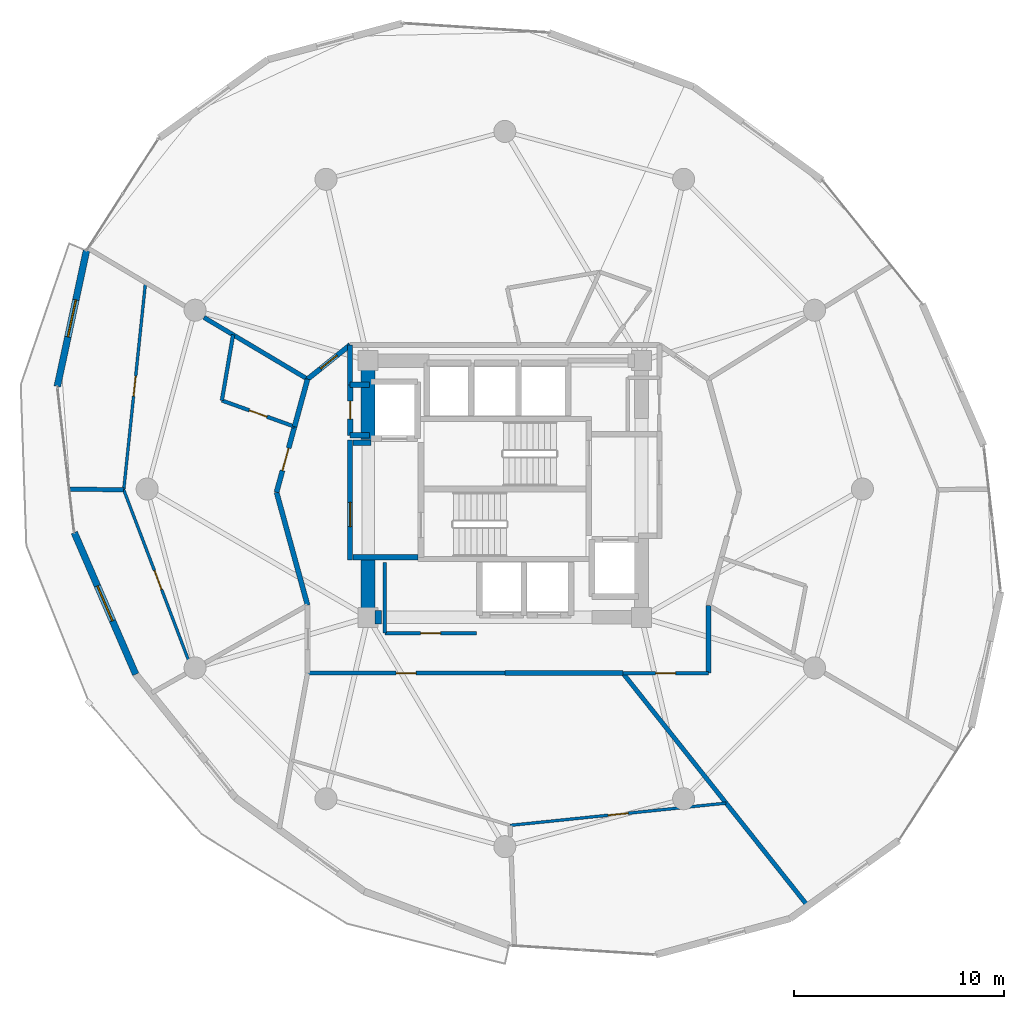
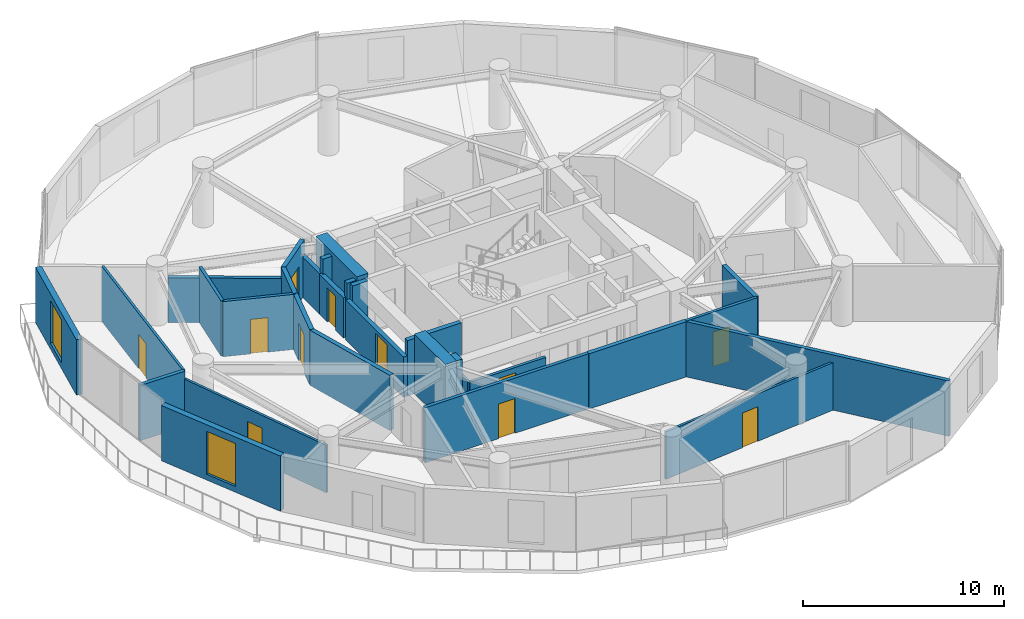
# One storey, part 17 of 21: 30 walls, 11 doors, 2 windows, 13 openings.
"""IFC4 building model written with IfcOpenShell, lengths in metres."""

from ifc_helpers import new_model, si_unit, direction, frame, frame_2d, origin, place, context, subcontext, project, spatial, rectangle, extrude, material, layer, layer_set, type_object, element, fill, save


model = new_model("IFC4")

# Units and contexts
model_context = context("Model", 3, precision=1e-05, world=origin(), true_north=direction((0.0, 1.0)))
body_context = subcontext(model_context, "Body", "Model", "MODEL_VIEW")
ifc_project = project(units=[si_unit("LENGTHUNIT", "METRE"), si_unit("AREAUNIT", "SQUARE_METRE"), si_unit("VOLUMEUNIT", "CUBIC_METRE"), si_unit("PLANEANGLEUNIT", "RADIAN"), si_unit("MASSUNIT", "GRAM", prefix="KILO")], contexts=[model_context])

# Site, building, storey
site_placement = place(None, origin())
site = spatial("IfcSite", under=ifc_project, at=site_placement, CompositionType="ELEMENT")
building_placement = place(site_placement, origin())
building = spatial("IfcBuilding", under=site, at=building_placement, Name="Solvirekh Grand Hotel", CompositionType="ELEMENT")
storey_placement = place(building_placement, frame((0.0, 0.0, 142.199951171875)))
storey = spatial("IfcBuildingStorey", under=building, at=storey_placement, Name="L36", CompositionType="ELEMENT", Elevation=142.199951171875)

# Walls
ifc_material_1 = material(Name="Concrete C50/60", Category="concrete")
ifc_layer_1 = layer(ifc_material_1, 0.64990234375)
ifc_layer_set_1 = layer_set([ifc_layer_1], Name="Concrete C50/60")
wall_type_1 = type_object("IfcWallType", Name="CoreWall_RC650", PredefinedType="SHEAR", material=ifc_layer_set_1)
wall_1_placement = place(storey_placement, frame((-6.175048828125, -6.10009765625, 0.0), z_axis=(0.0, 0.0, 1.0), x_axis=(1.0, 0.0, 0.0)))
element("IfcWall", 1, at=wall_1_placement, inside=storey, type_object=wall_type_1, Name="L36 core corner shear wall SW-S", PredefinedType="SHEAR", context=body_context, shape_type="SweptSolid", body=[
    extrude(rectangle(XDim=0.324951171875, YDim=0.64990234375, at=frame_2d((0.16259765625, 0.0))), origin(), (0.0, 0.0, 1.0), 3.60009765625),
])
wall_2_placement = place(storey_placement, frame((-6.5, 2.35009765625, 0.0), z_axis=(0.0, 0.0, 1.0), x_axis=(0.0, 1.0, 0.0)))
element("IfcWall", 2, at=wall_2_placement, inside=storey, type_object=wall_type_1, Name="L36 core corner shear wall WN-W", PredefinedType="SHEAR", context=body_context, shape_type="SweptSolid", body=[
    extrude(rectangle(XDim=4.074951171875, YDim=0.64990234375, at=frame_2d((2.03759765625, 0.0))), origin(), (0.0, 0.0, 1.0), 3.60009765625),
])
wall_3_placement = place(storey_placement, frame((-6.5, -6.425048828125, 0.0), z_axis=(0.0, 0.0, 1.0), x_axis=(0.0, 1.0, 0.0)))
element("IfcWall", 3, at=wall_3_placement, inside=storey, type_object=wall_type_1, Name="L36 core corner shear wall WS-W", PredefinedType="SHEAR", context=body_context, shape_type="SweptSolid", body=[
    extrude(rectangle(XDim=3.074951171875, YDim=0.64990234375, at=frame_2d((1.53759765625, 0.0))), origin(), (0.0, 0.0, 1.0), 3.60009765625),
])

# Wall, opening, window
ifc_material_2 = material(Name="Precast concrete C45/55", Category="concrete")
ifc_layer_2 = layer(ifc_material_2, 0.320068359375)
ifc_layer_set_2 = layer_set([ifc_layer_2], Name="Precast concrete C45/55")
wall_type_2 = type_object("IfcWallType", Name="ExtLobbyWall_RC320", PredefinedType="SOLIDWALL", material=ifc_layer_set_2)
wall_4_placement = place(storey_placement, frame((-21.27197265625, 4.87890625, 0.0), z_axis=(0.0, 0.0, 1.0), x_axis=(0.210040904663, 0.977692599117, 0.0)))
wall_4 = element("IfcWall", 4, at=wall_4_placement, inside=storey, type_object=wall_type_2, Name="L36 exterior structural wall chord 12", PredefinedType="SOLIDWALL", context=body_context, shape_type="SweptSolid", body=[
    extrude(rectangle(XDim=6.612548828125, YDim=0.320068359375, at=frame_2d((3.30615234375, 0.0))), origin(), (0.0, 0.0, 1.0), 3.35009765625),
])
opening_1_placement = place(wall_4_placement, frame((2.405029296875, 0.0, 0.35009765625)))
opening_1 = element("IfcOpeningElement", 5, at=opening_1_placement, cuts=wall_4, Name="Opening W02", PredefinedType="OPENING", context=body_context, shape_type="SweptSolid", body=[
    extrude(rectangle(XDim=1.800048828125, YDim=2.60009765625, at=frame_2d((0.89990234375, 1.300048828125))), frame((0.0, 0.169921875, 0.0), z_axis=(0.0, -1.0, 0.0), x_axis=(1.0, 0.0, 0.0)), (0.0, 0.0, 1.0), 0.340087890625),
])
ifc_material_3 = material(Name="Low-E Tinted Bronze Laminated Glass", Category="aluminium")
window_type = type_object("IfcWindowType", Name="Win_LobbyExt_1800X2600", PartitioningType="SINGLE_PANEL", PredefinedType="WINDOW", material=ifc_material_3)
window_1_placement = place(opening_1_placement, origin())
window_1 = element("IfcWindow", 6, at=window_1_placement, inside=storey, type_object=window_type, Name="L36 panoramic bronze-framed window 12", OverallHeight=2.60009765625, OverallWidth=1.800048828125, PartitioningType="SINGLE_PANEL", PredefinedType="WINDOW", context=body_context, shape_type="SweptSolid", body=[
    extrude(rectangle(XDim=1.800048828125, YDim=2.60009765625, at=frame_2d((0.89990234375, 1.300048828125))), frame((0.0, 0.030029296875, 0.0), z_axis=(0.0, -1.0, 0.0), x_axis=(1.0, 0.0, 0.0)), (0.0, 0.0, 1.0), 0.06005859375),
])
fill(opening_1, window_1)

wall_5_placement = place(storey_placement, frame((-17.5458984375, -8.804931640625, 0.0), z_axis=(0.0, 0.0, 1.0), x_axis=(-0.39761396578, 0.917552796419, 0.0)))
wall_5 = element("IfcWall", 7, at=wall_5_placement, inside=storey, type_object=wall_type_2, Name="L36 exterior structural wall chord 14", PredefinedType="SOLIDWALL", context=body_context, shape_type="SweptSolid", body=[
    extrude(rectangle(XDim=7.3466796875, YDim=0.320068359375, at=frame_2d((3.67333984375, 0.0))), origin(), (0.0, 0.0, 1.0), 3.35009765625),
])
opening_2_placement = place(wall_5_placement, frame((2.77294921875, 0.0, 0.35009765625)))
opening_2 = element("IfcOpeningElement", 8, at=opening_2_placement, cuts=wall_5, Name="Opening W02", PredefinedType="OPENING", context=body_context, shape_type="SweptSolid", body=[
    extrude(rectangle(XDim=1.800048828125, YDim=2.60009765625, at=frame_2d((0.89990234375, 1.300048828125))), frame((0.0, 0.169921875, 0.0), z_axis=(0.0, -1.0, 0.0), x_axis=(1.0, 0.0, 0.0)), (0.0, 0.0, 1.0), 0.340087890625),
])
window_2_placement = place(opening_2_placement, origin())
window_2 = element("IfcWindow", 9, at=window_2_placement, inside=storey, type_object=window_type, Name="L36 panoramic bronze-framed window 14", OverallHeight=2.60009765625, OverallWidth=1.800048828125, PartitioningType="SINGLE_PANEL", PredefinedType="WINDOW", context=body_context, shape_type="SweptSolid", body=[
    extrude(rectangle(XDim=1.800048828125, YDim=2.60009765625, at=frame_2d((0.89990234375, 1.300048828125))), frame((0.0, 0.030029296875, 0.0), z_axis=(0.0, -1.0, 0.0), x_axis=(1.0, 0.0, 0.0)), (0.0, 0.0, 1.0), 0.06005859375),
])
fill(opening_2, window_2)

# Wall, opening, door
ifc_material_4 = material(Name="Acoustic Gypsum Partition Assembly")
ifc_layer_3 = layer(ifc_material_4, 0.1650390625)
ifc_layer_set_3 = layer_set([ifc_layer_3], Name="Acoustic Gypsum Partition Assembly")
wall_type_3 = type_object("IfcWallType", Name="Part_BOH_165", PredefinedType="PARTITIONING", material=ifc_layer_set_3)
wall_6_placement = place(storey_placement, frame((-5.699951171875, -6.85009765625, 0.0), z_axis=(0.0, 0.0, 1.0), x_axis=(1.0, 0.0, 0.0)))
wall_6 = element("IfcWall", 10, at=wall_6_placement, inside=storey, type_object=wall_type_3, Name="L36 Mid-Zone Housekeeping Linen Room wall 1", PredefinedType="PARTITIONING", context=body_context, shape_type="SweptSolid", body=[
    extrude(rectangle(XDim=4.349853515625, YDim=0.1650390625, at=frame_2d((2.1748046875, 0.0))), origin(), (0.0, 0.0, 1.0), 2.43505859375),
])
opening_3_placement = place(wall_6_placement, frame((1.699951171875, 0.0, 0.0)))
opening_3 = element("IfcOpeningElement", 11, at=opening_3_placement, cuts=wall_6, Name="Opening D10", PredefinedType="OPENING", context=body_context, shape_type="SweptSolid", body=[
    extrude(rectangle(XDim=0.949951171875, YDim=2.10009765625, at=frame_2d((0.47509765625, 1.050048828125))), frame((0.0, 0.092529296875, 0.0), z_axis=(0.0, -1.0, 0.0), x_axis=(1.0, 0.0, 0.0)), (0.0, 0.0, 1.0), 0.18505859375),
])
ifc_material_5 = material(Name="Anodized Bronze Aluminium 6063-T6", Category="aluminium")
door_type_1 = type_object("IfcDoorType", Name="Door_RoomInt_950X2100", OperationType="NOTDEFINED", PredefinedType="DOOR", material=ifc_material_5)
door_1_placement = place(opening_3_placement, origin())
door_1 = element("IfcDoor", 12, at=door_1_placement, inside=storey, type_object=door_type_1, Name="L36 Mid-Zone Housekeeping Linen Room door", OperationType="SINGLE_SWING_RIGHT", OverallHeight=2.10009765625, OverallWidth=0.949951171875, PredefinedType="DOOR", context=body_context, shape_type="SweptSolid", body=[
    extrude(rectangle(XDim=0.949951171875, YDim=2.10009765625, at=frame_2d((0.47509765625, 1.050048828125))), frame((0.0, 0.02490234375, 0.0), z_axis=(0.0, -1.0, 0.0), x_axis=(1.0, 0.0, 0.0)), (0.0, 0.0, 1.0), 0.050048828125),
])
fill(opening_3, door_1)

# Wall
wall_7_placement = place(storey_placement, frame((-5.699951171875, -3.5, 0.0), z_axis=(0.0, 0.0, 1.0), x_axis=(0.0, -1.0, 0.0)))
element("IfcWall", 13, at=wall_7_placement, inside=storey, type_object=wall_type_3, Name="L36 Mid-Zone Housekeeping Linen Room wall 4", PredefinedType="PARTITIONING", context=body_context, shape_type="SweptSolid", body=[
    extrude(rectangle(XDim=3.35009765625, YDim=0.1650390625, at=frame_2d((1.675048828125, 0.0))), origin(), (0.0, 0.0, 1.0), 2.43505859375),
])

# Wall, opening, door
wall_8_placement = place(storey_placement, frame((5.612060546875, -8.75, 0.0), z_axis=(0.0, 0.0, 1.0), x_axis=(1.0, 0.0, 0.0)))
wall_8 = element("IfcWall", 14, at=wall_8_placement, inside=storey, type_object=wall_type_3, Name="L36 L36 Butler Valet & Linen Steward Room entrance wall", PredefinedType="PARTITIONING", context=body_context, shape_type="SweptSolid", body=[
    extrude(rectangle(XDim=4.06396484375, YDim=0.1650390625, at=frame_2d((2.031982421875, 0.0))), origin(), (0.0, 0.0, 1.0), 3.35009765625),
])
opening_4_placement = place(wall_8_placement, frame((1.556884765625, 0.0, 0.0)))
opening_4 = element("IfcOpeningElement", 15, at=opening_4_placement, cuts=wall_8, Name="Opening D10", PredefinedType="OPENING", context=body_context, shape_type="SweptSolid", body=[
    extrude(rectangle(XDim=0.949951171875, YDim=2.10009765625, at=frame_2d((0.47509765625, 1.050048828125))), frame((0.0, 0.092529296875, 0.0), z_axis=(0.0, -1.0, 0.0), x_axis=(1.0, 0.0, 0.0)), (0.0, 0.0, 1.0), 0.18505859375),
])
door_2_placement = place(opening_4_placement, origin())
door_2 = element("IfcDoor", 16, at=door_2_placement, inside=storey, type_object=door_type_1, Name="L36 L36 Butler Valet & Linen Steward Room entrance door", OperationType="SINGLE_SWING_LEFT", OverallHeight=2.10009765625, OverallWidth=0.949951171875, PredefinedType="DOOR", context=body_context, shape_type="SweptSolid", body=[
    extrude(rectangle(XDim=0.949951171875, YDim=2.10009765625, at=frame_2d((0.47509765625, 1.050048828125))), frame((0.0, 0.02490234375, 0.0), z_axis=(0.0, -1.0, 0.0), x_axis=(1.0, 0.0, 0.0)), (0.0, 0.0, 1.0), 0.050048828125),
])
fill(opening_4, door_2)

ifc_layer_4 = layer(ifc_material_4, 0.239990234375)
ifc_layer_set_4 = layer_set([ifc_layer_4], Name="Acoustic Gypsum Partition Assembly")
wall_type_4 = type_object("IfcWallType", Name="Part_Corridor_240", PredefinedType="PARTITIONING", material=ifc_layer_set_4)
wall_9_placement = place(storey_placement, frame((-7.35009765625, -3.3798828125, 0.0), z_axis=(0.0, 0.0, 1.0), x_axis=(0.0, 1.0, 0.0)))
wall_9 = element("IfcWall", 17, at=wall_9_placement, inside=storey, type_object=wall_type_4, Name="L36 west firefighting lobby smoke screen wall", PredefinedType="PARTITIONING", context=body_context, shape_type="SweptSolid", body=[
    extrude(rectangle(XDim=5.719970703125, YDim=0.239990234375, at=frame_2d((2.85986328125, 0.0))), origin(), (0.0, 0.0, 1.0), 2.43505859375),
])
opening_5_placement = place(wall_9_placement, frame((1.59912109375, 0.0, 0.0)))
opening_5 = element("IfcOpeningElement", 18, at=opening_5_placement, cuts=wall_9, Name="Opening D06", PredefinedType="OPENING", context=body_context, shape_type="SweptSolid", body=[
    extrude(rectangle(XDim=1.14990234375, YDim=2.199951171875, at=frame_2d((0.574951171875, 1.10009765625))), frame((0.0, 0.1298828125, 0.0), z_axis=(0.0, -1.0, 0.0), x_axis=(1.0, 0.0, 0.0)), (0.0, 0.0, 1.0), 0.260009765625),
])
ifc_material_6 = material(Name="Fire-Rated Steel Door Assembly", Category="steel")
door_type_2 = type_object("IfcDoorType", Name="Door_FFLobby_1150X2200", OperationType="NOTDEFINED", PredefinedType="DOOR", material=ifc_material_6)
door_3_placement = place(opening_5_placement, origin())
door_3 = element("IfcDoor", 19, at=door_3_placement, inside=storey, type_object=door_type_2, Name="L36 west firefighting lobby smoke door", OperationType="SINGLE_SWING_RIGHT", OverallHeight=2.199951171875, OverallWidth=1.14990234375, PredefinedType="DOOR", context=body_context, shape_type="SweptSolid", body=[
    extrude(rectangle(XDim=1.14990234375, YDim=2.199951171875, at=frame_2d((0.574951171875, 1.10009765625))), frame((0.0, 0.02490234375, 0.0), z_axis=(0.0, -1.0, 0.0), x_axis=(1.0, 0.0, 0.0)), (0.0, 0.0, 1.0), 0.050048828125),
])
fill(opening_5, door_3)

# Wall
wall_10_placement = place(storey_placement, frame((-7.35009765625, 4.949951171875, 0.0), z_axis=(0.0, 0.0, 1.0), x_axis=(0.0, 1.0, 0.0)))
element("IfcWall", 20, at=wall_10_placement, inside=storey, type_object=wall_type_4, Name="L36 NW core cheek closure wall", PredefinedType="PARTITIONING", context=body_context, shape_type="SweptSolid", body=[
    extrude(rectangle(XDim=1.900146484375, YDim=0.239990234375, at=frame_2d((0.9501953125, 0.0))), origin(), (0.0, 0.0, 1.0), 2.43505859375),
])

# Wall, opening, door
wall_11_placement = place(storey_placement, frame((-9.3759765625, 5.22509765625, 0.0), z_axis=(0.0, 0.0, 1.0), x_axis=(0.780061082582, 0.625703370169, 0.0)))
wall_11 = element("IfcWall", 21, at=wall_11_placement, inside=storey, type_object=wall_type_4, Name="L36 Panorama Suite 3802 entrance wall", PredefinedType="PARTITIONING", context=body_context, shape_type="SweptSolid", body=[
    extrude(rectangle(XDim=2.59716796875, YDim=0.239990234375, at=frame_2d((1.298583984375, 0.0))), origin(), (0.0, 0.0, 1.0), 3.35009765625),
])
opening_6_placement = place(wall_11_placement, frame((0.799072265625, 0.0, 0.0)))
opening_6 = element("IfcOpeningElement", 22, at=opening_6_placement, cuts=wall_11, Name="Opening D07", PredefinedType="OPENING", context=body_context, shape_type="SweptSolid", body=[
    extrude(rectangle(XDim=1.0, YDim=2.199951171875, at=frame_2d((0.5, 1.10009765625))), frame((0.0, 0.1298828125, 0.0), z_axis=(0.0, -1.0, 0.0), x_axis=(1.0, 0.0, 0.0)), (0.0, 0.0, 1.0), 0.260009765625),
])
door_type_3 = type_object("IfcDoorType", Name="Door_GuestEntry_1000X2200", OperationType="NOTDEFINED", PredefinedType="DOOR", material=ifc_material_6)
door_4_placement = place(opening_6_placement, origin())
door_4 = element("IfcDoor", 23, at=door_4_placement, inside=storey, type_object=door_type_3, Name="L36 Panorama Suite 3802 entrance door", OperationType="SINGLE_SWING_RIGHT", OverallHeight=2.199951171875, OverallWidth=1.0, PredefinedType="DOOR", context=body_context, shape_type="SweptSolid", body=[
    extrude(rectangle(XDim=1.0, YDim=2.199951171875, at=frame_2d((0.5, 1.10009765625))), frame((0.0, 0.02490234375, 0.0), z_axis=(0.0, -1.0, 0.0), x_axis=(1.0, 0.0, 0.0)), (0.0, 0.0, 1.0), 0.050048828125),
])
fill(opening_6, door_4)

# Walls
wall_12_placement = place(storey_placement, frame((-9.3759765625, 5.22509765625, 0.0), z_axis=(0.0, 0.0, 1.0), x_axis=(-0.264431780812, -0.964404393031, 0.0)))
element("IfcWall", 24, at=wall_12_placement, inside=storey, type_object=wall_type_4, Name="L36 En-suite Bathroom 3803 corridor backing wall", PredefinedType="PARTITIONING", context=body_context, shape_type="SweptSolid", body=[
    extrude(rectangle(XDim=2.34130859375, YDim=0.239990234375, at=frame_2d((1.170654296875, 0.0))), origin(), (0.0, 0.0, 1.0), 3.35009765625),
])
wall_13_placement = place(storey_placement, frame((-10.85009765625, -0.14990234375, 0.0), z_axis=(0.0, 0.0, 1.0), x_axis=(0.264488542062, -0.964388827765, 0.0)))
element("IfcWall", 25, at=wall_13_placement, inside=storey, type_object=wall_type_4, Name="L36 Executive Suite 3803 Living Room corridor wall 1", PredefinedType="PARTITIONING", context=body_context, shape_type="SweptSolid", body=[
    extrude(rectangle(XDim=5.573486328125, YDim=0.239990234375, at=frame_2d((2.78662109375, 0.0))), origin(), (0.0, 0.0, 1.0), 3.35009765625),
])

# Wall, opening, door
wall_14_placement = place(storey_placement, frame((-9.9951171875, 2.967041015625, 0.0), z_axis=(0.0, 0.0, 1.0), x_axis=(-0.264529660797, -0.9643775498, 0.0)))
wall_14 = element("IfcWall", 26, at=wall_14_placement, inside=storey, type_object=wall_type_4, Name="L36 Executive Suite 3803 Living Room entrance wall", PredefinedType="PARTITIONING", context=body_context, shape_type="SweptSolid", body=[
    extrude(rectangle(XDim=3.232177734375, YDim=0.239990234375, at=frame_2d((1.6162109375, 0.0))), origin(), (0.0, 0.0, 1.0), 3.35009765625),
])
opening_7_placement = place(wall_14_placement, frame((1.06591796875, 0.0, 0.0)))
opening_7 = element("IfcOpeningElement", 27, at=opening_7_placement, cuts=wall_14, Name="Opening D08", PredefinedType="OPENING", context=body_context, shape_type="SweptSolid", body=[
    extrude(rectangle(XDim=1.10009765625, YDim=2.300048828125, at=frame_2d((0.550048828125, 1.14990234375))), frame((0.0, 0.1298828125, 0.0), z_axis=(0.0, -1.0, 0.0), x_axis=(1.0, 0.0, 0.0)), (0.0, 0.0, 1.0), 0.260009765625),
])
door_type_4 = type_object("IfcDoorType", Name="Door_SuiteEntry_1100X2300", OperationType="NOTDEFINED", PredefinedType="DOOR", material=ifc_material_6)
door_5_placement = place(opening_7_placement, origin())
door_5 = element("IfcDoor", 28, at=door_5_placement, inside=storey, type_object=door_type_4, Name="L36 Executive Suite 3803 Living Room entrance door", OperationType="SINGLE_SWING_RIGHT", OverallHeight=2.300048828125, OverallWidth=1.10009765625, PredefinedType="DOOR", context=body_context, shape_type="SweptSolid", body=[
    extrude(rectangle(XDim=1.10009765625, YDim=2.300048828125, at=frame_2d((0.550048828125, 1.14990234375))), frame((0.0, 0.02490234375, 0.0), z_axis=(0.0, -1.0, 0.0), x_axis=(1.0, 0.0, 0.0)), (0.0, 0.0, 1.0), 0.050048828125),
])
fill(opening_7, door_5)

# Walls
wall_15_placement = place(storey_placement, frame((0.0, -8.75, 0.0), z_axis=(0.0, 0.0, 1.0), x_axis=(1.0, 0.0, 0.0)))
element("IfcWall", 29, at=wall_15_placement, inside=storey, type_object=wall_type_4, Name="L36 L36 Royal Library Lounge corridor wall 1", PredefinedType="PARTITIONING", context=body_context, shape_type="SweptSolid", body=[
    extrude(rectangle(XDim=5.612060546875, YDim=0.239990234375, at=frame_2d((2.80615234375, 0.0))), origin(), (0.0, 0.0, 1.0), 3.35009765625),
])
wall_16_placement = place(storey_placement, frame((9.676025390625, -8.75, 0.0), z_axis=(0.0, 0.0, 1.0), x_axis=(0.0, 1.0, 0.0)))
element("IfcWall", 30, at=wall_16_placement, inside=storey, type_object=wall_type_4, Name="L36 L36 Butler Valet & Linen Steward Room corridor wall 1", PredefinedType="PARTITIONING", context=body_context, shape_type="SweptSolid", body=[
    extrude(rectangle(XDim=3.22509765625, YDim=0.239990234375, at=frame_2d((1.612548828125, 0.0))), origin(), (0.0, 0.0, 1.0), 3.35009765625),
])

# Wall, opening, door
ifc_layer_5 = layer(ifc_material_4, 0.18994140625)
ifc_layer_set_5 = layer_set([ifc_layer_5], Name="Acoustic Gypsum Partition Assembly")
wall_type_5 = type_object("IfcWallType", Name="Part_GuestDemise_190", PredefinedType="PARTITIONING", material=ifc_layer_set_5)
wall_17_placement = place(storey_placement, frame((-9.3759765625, -8.75, 0.0), z_axis=(0.0, 0.0, 1.0), x_axis=(1.0, 0.0, 0.0)))
wall_17 = element("IfcWall", 31, at=wall_17_placement, inside=storey, type_object=wall_type_5, Name="L36 L36 Royal Library Lounge entrance wall", PredefinedType="PARTITIONING", context=body_context, shape_type="SweptSolid", body=[
    extrude(rectangle(XDim=9.3759765625, YDim=0.18994140625, at=frame_2d((4.68798828125, 0.0))), origin(), (0.0, 0.0, 1.0), 3.35009765625),
])
opening_8_placement = place(wall_17_placement, frame((4.212890625, 0.0, 0.0)))
opening_8 = element("IfcOpeningElement", 32, at=opening_8_placement, cuts=wall_17, Name="Opening D10", PredefinedType="OPENING", context=body_context, shape_type="SweptSolid", body=[
    extrude(rectangle(XDim=0.949951171875, YDim=2.10009765625, at=frame_2d((0.47509765625, 1.050048828125))), frame((0.0, 0.10498046875, 0.0), z_axis=(0.0, -1.0, 0.0), x_axis=(1.0, 0.0, 0.0)), (0.0, 0.0, 1.0), 0.2099609375),
])
door_6_placement = place(opening_8_placement, origin())
door_6 = element("IfcDoor", 33, at=door_6_placement, inside=storey, type_object=door_type_1, Name="L36 L36 Royal Library Lounge entrance door", OperationType="SINGLE_SWING_LEFT", OverallHeight=2.10009765625, OverallWidth=0.949951171875, PredefinedType="DOOR", context=body_context, shape_type="SweptSolid", body=[
    extrude(rectangle(XDim=0.949951171875, YDim=2.10009765625, at=frame_2d((0.47509765625, 1.050048828125))), frame((0.0, 0.02490234375, 0.0), z_axis=(0.0, -1.0, 0.0), x_axis=(1.0, 0.0, 0.0)), (0.0, 0.0, 1.0), 0.050048828125),
])
fill(opening_8, door_6)

# Walls
ifc_layer_6 = layer(ifc_material_4, 0.260009765625)
ifc_layer_set_6 = layer_set([ifc_layer_6], Name="Acoustic Gypsum Partition Assembly")
wall_type_6 = type_object("IfcWallType", Name="Part_LobbyFF_260", PredefinedType="PARTITIONING", material=ifc_layer_set_6)
wall_18_placement = place(storey_placement, frame((-7.22509765625, -3.25, 0.0), z_axis=(0.0, 0.0, 1.0), x_axis=(1.0, 0.0, 0.0)))
element("IfcWall", 34, at=wall_18_placement, inside=storey, type_object=wall_type_6, Name="L36 west firefighting lobby south partition", PredefinedType="PARTITIONING", context=body_context, shape_type="SweptSolid", body=[
    extrude(rectangle(XDim=3.09521484375, YDim=0.260009765625, at=frame_2d((1.547607421875, 0.0))), origin(), (0.0, 0.0, 1.0), 3.35009765625),
])
wall_19_placement = place(storey_placement, frame((-7.22509765625, 2.2099609375, 0.0), z_axis=(0.0, 0.0, 1.0), x_axis=(1.0, 0.0, 0.0)))
element("IfcWall", 35, at=wall_19_placement, inside=storey, type_object=wall_type_6, Name="L36 west firefighting lobby NW cheek", PredefinedType="PARTITIONING", context=body_context, shape_type="SweptSolid", body=[
    extrude(rectangle(XDim=0.875, YDim=0.260009765625, at=frame_2d((0.4375, 0.0))), origin(), (0.0, 0.0, 1.0), 3.35009765625),
])
for number, where, z_axis, x_axis, name in (
    (36, (-7.35009765625, 4.949951171875, 0.0), (0.0, 0.0, 1.0), (1.0, 0.0, 0.0), "L36 NW telecom metering cupboard north wall"),
    (37, (-7.35009765625, 2.550048828125, 0.0), (0.0, 0.0, 1.0), (1.0, 0.0, 0.0), "L36 NW telecom metering cupboard south wall"),
):
    element("IfcWall", number, at=place(storey_placement, frame(where, z_axis=z_axis, x_axis=x_axis)), inside=storey, type_object=wall_type_6, Name=name, PredefinedType="PARTITIONING", context=body_context, shape_type="SweptSolid", body=[
        extrude(rectangle(XDim=0.93017578125, YDim=0.260009765625, at=frame_2d((0.465087890625, 0.0))), origin(), (0.0, 0.0, 1.0), 3.35009765625),
    ])

# Wall, opening, door
wall_20_placement = place(storey_placement, frame((-7.35009765625, 2.550048828125, 0.0), z_axis=(0.0, 0.0, 1.0), x_axis=(0.0, 1.0, 0.0)))
wall_20 = element("IfcWall", 38, at=wall_20_placement, inside=storey, type_object=wall_type_6, Name="L36 NW telecom metering cupboard access wall", PredefinedType="PARTITIONING", context=body_context, shape_type="SweptSolid", body=[
    extrude(rectangle(XDim=2.39990234375, YDim=0.260009765625, at=frame_2d((1.199951171875, 0.0))), origin(), (0.0, 0.0, 1.0), 2.43505859375),
])
opening_9_placement = place(wall_20_placement, frame((0.77490234375, 0.0, 0.0)))
opening_9 = element("IfcOpeningElement", 39, at=opening_9_placement, cuts=wall_20, Name="Opening D13", PredefinedType="OPENING", context=body_context, shape_type="SweptSolid", body=[
    extrude(rectangle(XDim=0.85009765625, YDim=2.050048828125, at=frame_2d((0.425048828125, 1.02490234375))), frame((0.0, 0.14013671875, 0.0), z_axis=(0.0, -1.0, 0.0), x_axis=(1.0, 0.0, 0.0)), (0.0, 0.0, 1.0), 0.280029296875),
])
door_type_5 = type_object("IfcDoorType", Name="Door_RiserShaft_850X2050", OperationType="NOTDEFINED", PredefinedType="DOOR", material=ifc_material_6)
door_7_placement = place(opening_9_placement, origin())
door_7 = element("IfcDoor", 40, at=door_7_placement, inside=storey, type_object=door_type_5, Name="L36 telecom metering cupboard access door", OperationType="SINGLE_SWING_RIGHT", OverallHeight=2.050048828125, OverallWidth=0.85009765625, PredefinedType="DOOR", context=body_context, shape_type="SweptSolid", body=[
    extrude(rectangle(XDim=0.85009765625, YDim=2.050048828125, at=frame_2d((0.425048828125, 1.02490234375))), frame((0.0, 0.02490234375, 0.0), z_axis=(0.0, -1.0, 0.0), x_axis=(1.0, 0.0, 0.0)), (0.0, 0.0, 1.0), 0.050048828125),
])
fill(opening_9, door_7)

ifc_layer_7 = layer(ifc_material_4, 0.135009765625)
ifc_layer_set_7 = layer_set([ifc_layer_7], Name="Acoustic Gypsum Partition Assembly")
wall_type_7 = type_object("IfcWallType", Name="Part_RoomInt_135", PredefinedType="PARTITIONING", material=ifc_layer_set_7)
wall_21_placement = place(storey_placement, frame((-17.0791015625, 9.81201171875, 0.0), z_axis=(0.0, 0.0, 1.0), x_axis=(-0.104480781991, -0.994526905717, 0.0)))
wall_21 = element("IfcWall", 41, at=wall_21_placement, inside=storey, type_object=wall_type_7, Name="L36 Executive Suite 3803 Living Room bedroom screen wall", PredefinedType="PARTITIONING", context=body_context, shape_type="SweptSolid", body=[
    extrude(rectangle(XDim=9.9052734375, YDim=0.135009765625, at=frame_2d((4.95263671875, 0.0))), origin(), (0.0, 0.0, 1.0), 3.35009765625),
])
opening_10_placement = place(wall_21_placement, frame((4.47802734375, 0.0, 0.0)))
opening_10 = element("IfcOpeningElement", 42, at=opening_10_placement, cuts=wall_21, Name="Opening D10", PredefinedType="OPENING", context=body_context, shape_type="SweptSolid", body=[
    extrude(rectangle(XDim=0.949951171875, YDim=2.10009765625, at=frame_2d((0.47509765625, 1.050048828125))), frame((0.0, 0.07763671875, 0.0), z_axis=(0.0, -1.0, 0.0), x_axis=(1.0, 0.0, 0.0)), (0.0, 0.0, 1.0), 0.155029296875),
])
door_8_placement = place(opening_10_placement, origin())
door_8 = element("IfcDoor", 43, at=door_8_placement, inside=storey, type_object=door_type_1, Name="L36 Executive Suite 3803 Living Room master bedroom door", OperationType="SINGLE_SWING_LEFT", OverallHeight=2.10009765625, OverallWidth=0.949951171875, PredefinedType="DOOR", context=body_context, shape_type="SweptSolid", body=[
    extrude(rectangle(XDim=0.949951171875, YDim=2.10009765625, at=frame_2d((0.47509765625, 1.050048828125))), frame((0.0, 0.02490234375, 0.0), z_axis=(0.0, -1.0, 0.0), x_axis=(1.0, 0.0, 0.0)), (0.0, 0.0, 1.0), 0.050048828125),
])
fill(opening_10, door_8)

wall_22_placement = place(storey_placement, frame((-18.114013671875, -0.0390625, 0.0), z_axis=(0.0, 0.0, 1.0), x_axis=(0.355469126908, -0.93468802272, 0.0)))
wall_22 = element("IfcWall", 44, at=wall_22_placement, inside=storey, type_object=wall_type_7, Name="L36 Executive Suite 3803 Panorama Suite Study bedroom screen wall", PredefinedType="PARTITIONING", context=body_context, shape_type="SweptSolid", body=[
    extrude(rectangle(XDim=9.16552734375, YDim=0.135009765625, at=frame_2d((4.582763671875, 0.0))), origin(), (0.0, 0.0, 1.0), 2.879150390625),
])
opening_11_placement = place(wall_22_placement, frame((4.10791015625, 0.0, 0.0)))
opening_11 = element("IfcOpeningElement", 45, at=opening_11_placement, cuts=wall_22, Name="Opening D10", PredefinedType="OPENING", context=body_context, shape_type="SweptSolid", body=[
    extrude(rectangle(XDim=0.949951171875, YDim=2.10009765625, at=frame_2d((0.47509765625, 1.050048828125))), frame((0.0, 0.07763671875, 0.0), z_axis=(0.0, -1.0, 0.0), x_axis=(1.0, 0.0, 0.0)), (0.0, 0.0, 1.0), 0.155029296875),
])
door_9_placement = place(opening_11_placement, origin())
door_9 = element("IfcDoor", 46, at=door_9_placement, inside=storey, type_object=door_type_1, Name="L36 Executive Suite 3803 Panorama Suite Study master bedroom door", OperationType="SINGLE_SWING_RIGHT", OverallHeight=2.10009765625, OverallWidth=0.949951171875, PredefinedType="DOOR", context=body_context, shape_type="SweptSolid", body=[
    extrude(rectangle(XDim=0.949951171875, YDim=2.10009765625, at=frame_2d((0.47509765625, 1.050048828125))), frame((0.0, 0.02490234375, 0.0), z_axis=(0.0, -1.0, 0.0), x_axis=(1.0, 0.0, 0.0)), (0.0, 0.0, 1.0), 0.050048828125),
])
fill(opening_11, door_9)

wall_23_placement = place(storey_placement, frame((0.25390625, -15.986083984375, 0.0), z_axis=(0.0, 0.0, 1.0), x_axis=(0.994749746349, 0.102337393643, 0.0)))
wall_23 = element("IfcWall", 47, at=wall_23_placement, inside=storey, type_object=wall_type_7, Name="L36 L36 Riverfront Tea Belvedere bedroom screen wall", PredefinedType="PARTITIONING", context=body_context, shape_type="SweptSolid", body=[
    extrude(rectangle(XDim=10.3203125, YDim=0.135009765625, at=frame_2d((5.16015625, 0.0))), origin(), (0.0, 0.0, 1.0), 2.879150390625),
])
opening_12_placement = place(wall_23_placement, frame((4.68505859375, 0.0, 0.0)))
opening_12 = element("IfcOpeningElement", 48, at=opening_12_placement, cuts=wall_23, Name="Opening D10", PredefinedType="OPENING", context=body_context, shape_type="SweptSolid", body=[
    extrude(rectangle(XDim=0.949951171875, YDim=2.10009765625, at=frame_2d((0.47509765625, 1.050048828125))), frame((0.0, 0.07763671875, 0.0), z_axis=(0.0, -1.0, 0.0), x_axis=(1.0, 0.0, 0.0)), (0.0, 0.0, 1.0), 0.155029296875),
])
door_10_placement = place(opening_12_placement, origin())
door_10 = element("IfcDoor", 49, at=door_10_placement, inside=storey, type_object=door_type_1, Name="L36 L36 Riverfront Tea Belvedere master bedroom door", OperationType="SINGLE_SWING_RIGHT", OverallHeight=2.10009765625, OverallWidth=0.949951171875, PredefinedType="DOOR", context=body_context, shape_type="SweptSolid", body=[
    extrude(rectangle(XDim=0.949951171875, YDim=2.10009765625, at=frame_2d((0.47509765625, 1.050048828125))), frame((0.0, 0.02490234375, 0.0), z_axis=(0.0, -1.0, 0.0), x_axis=(1.0, 0.0, 0.0)), (0.0, 0.0, 1.0), 0.050048828125),
])
fill(opening_12, door_10)

# Walls
ifc_layer_8 = layer(ifc_material_4, 0.2099609375)
ifc_layer_set_8 = layer_set([ifc_layer_8], Name="Acoustic Gypsum Partition Assembly")
wall_type_8 = type_object("IfcWallType", Name="Part_SuiteDemise_210", PredefinedType="PARTITIONING", material=ifc_layer_set_8)
wall_24_placement = place(storey_placement, frame((-9.3759765625, 5.22509765625, 0.0), z_axis=(0.0, 0.0, 1.0), x_axis=(-0.859254979659, 0.511547534381, 0.0)))
element("IfcWall", 50, at=wall_24_placement, inside=storey, type_object=wall_type_8, Name="L36 suite radial wall 6 (A)", PredefinedType="PARTITIONING", context=body_context, shape_type="SweptSolid", body=[
    extrude(rectangle(XDim=5.7294921875, YDim=0.2099609375, at=frame_2d((2.86474609375, 0.0))), origin(), (0.0, 0.0, 1.0), 2.718017578125),
])
wall_25_placement = place(storey_placement, frame((-18.114013671875, -0.0390625, 0.0), z_axis=(0.0, 0.0, 1.0), x_axis=(-0.999882874418, 0.015304817747, 0.0)))
element("IfcWall", 51, at=wall_25_placement, inside=storey, type_object=wall_type_8, Name="L36 Executive Suite 3803 Living Room dividing partition 1", PredefinedType="PARTITIONING", context=body_context, shape_type="SweptSolid", body=[
    extrude(rectangle(XDim=2.55224609375, YDim=0.2099609375, at=frame_2d((1.276123046875, 0.0))), origin(), (0.0, 0.0, 1.0), 3.35009765625),
])
wall_26_placement = place(storey_placement, frame((5.612060546875, -8.75, 0.0), z_axis=(0.0, 0.0, 1.0), x_axis=(0.621887455735, -0.78310662901, 0.0)))
element("IfcWall", 52, at=wall_26_placement, inside=storey, type_object=wall_type_8, Name="L36 L36 Royal Library Lounge dividing partition 1", PredefinedType="PARTITIONING", context=body_context, shape_type="SweptSolid", body=[
    extrude(rectangle(XDim=14.092529296875, YDim=0.2099609375, at=frame_2d((7.04638671875, 0.0))), origin(), (0.0, 0.0, 1.0), 3.35009765625),
])
ifc_layer_9 = layer(ifc_material_4, 0.175048828125)
ifc_layer_set_9 = layer_set([ifc_layer_9], Name="Acoustic Gypsum Partition Assembly")
wall_type_9 = type_object("IfcWallType", Name="Plumb_Ensuite_175", PredefinedType="PLUMBINGWALL", material=ifc_layer_set_9)
wall_27_placement = place(storey_placement, frame((-12.9150390625, 7.33203125, 0.0), z_axis=(0.0, 0.0, 1.0), x_axis=(-0.168623538304, -0.985680527519, 0.0)))
element("IfcWall", 53, at=wall_27_placement, inside=storey, type_object=wall_type_9, Name="L36 En-suite Bathroom 3803 outer plumbing wall", PredefinedType="PLUMBINGWALL", context=body_context, shape_type="SweptSolid", body=[
    extrude(rectangle(XDim=3.16650390625, YDim=0.175048828125, at=frame_2d((1.583251953125, 0.0))), origin(), (0.0, 0.0, 1.0), 3.35009765625),
])

# Wall, opening, door
wall_28_placement = place(storey_placement, frame((-9.9951171875, 2.967041015625, 0.0), z_axis=(0.0, 0.0, 1.0), x_axis=(-0.940843318569, 0.338841924656, 0.0)))
wall_28 = element("IfcWall", 54, at=wall_28_placement, inside=storey, type_object=wall_type_9, Name="L36 En-suite Bathroom 3803 entry plumbing wall", PredefinedType="PLUMBINGWALL", context=body_context, shape_type="SweptSolid", body=[
    extrude(rectangle(XDim=3.671142578125, YDim=0.175048828125, at=frame_2d((1.83544921875, 0.0))), origin(), (0.0, 0.0, 1.0), 3.35009765625),
])
opening_13_placement = place(wall_28_placement, frame((1.385986328125, 0.0, 0.0)))
opening_13 = element("IfcOpeningElement", 55, at=opening_13_placement, cuts=wall_28, Name="Opening D09", PredefinedType="OPENING", context=body_context, shape_type="SweptSolid", body=[
    extrude(rectangle(XDim=0.89990234375, YDim=2.10009765625, at=frame_2d((0.449951171875, 1.050048828125))), frame((0.0, 0.09765625, 0.0), z_axis=(0.0, -1.0, 0.0), x_axis=(1.0, 0.0, 0.0)), (0.0, 0.0, 1.0), 0.195068359375),
])
door_type_6 = type_object("IfcDoorType", Name="Door_Ensuite_900X2100", OperationType="NOTDEFINED", PredefinedType="DOOR", material=ifc_material_5)
door_11_placement = place(opening_13_placement, origin())
door_11 = element("IfcDoor", 56, at=door_11_placement, inside=storey, type_object=door_type_6, Name="L36 En-suite Bathroom 3803 door", OperationType="SINGLE_SWING_LEFT", OverallHeight=2.10009765625, OverallWidth=0.89990234375, PredefinedType="DOOR", context=body_context, shape_type="SweptSolid", body=[
    extrude(rectangle(XDim=0.89990234375, YDim=2.10009765625, at=frame_2d((0.449951171875, 1.050048828125))), frame((0.0, 0.02490234375, 0.0), z_axis=(0.0, -1.0, 0.0), x_axis=(1.0, 0.0, 0.0)), (0.0, 0.0, 1.0), 0.050048828125),
])
fill(opening_13, door_11)

save(model, "model.ifc")
